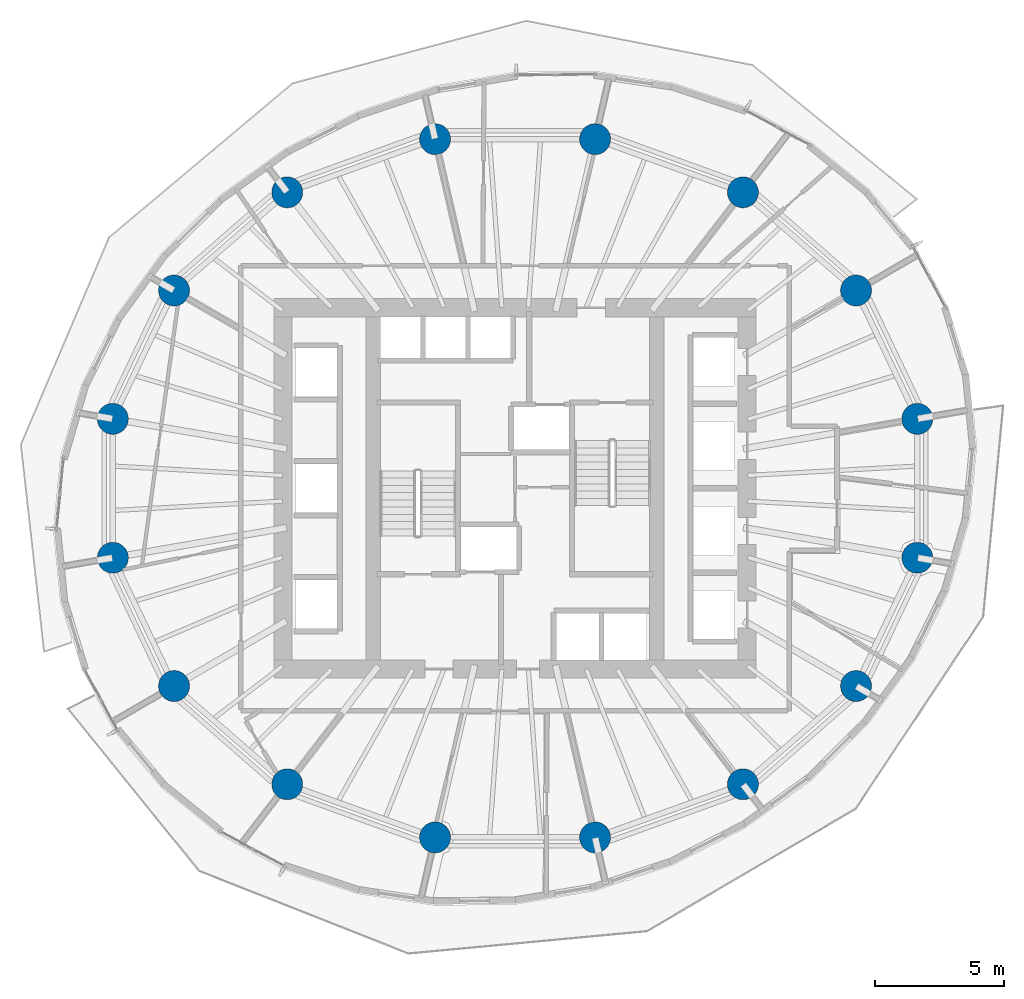
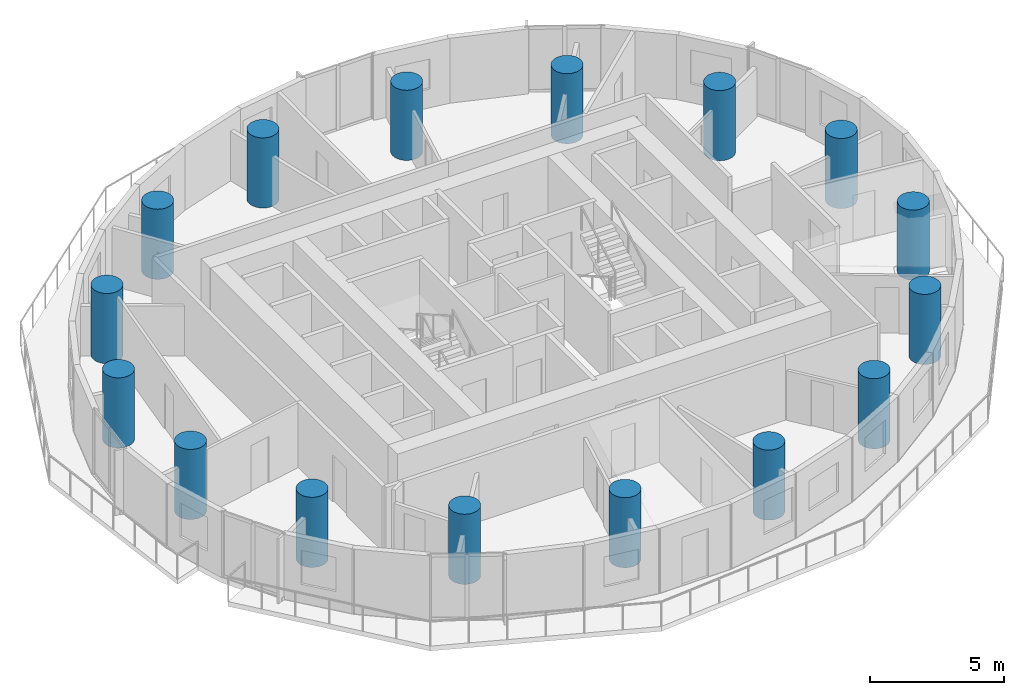
# One storey, part 1 of 14: 16 columns.
"""IFC4 building model written with IfcOpenShell, lengths in metres."""

from ifc_helpers import new_model, si_unit, direction, frame, origin, origin_2d, place, context, subcontext, project, spatial, circle, extrude, material, material_profile, profile_set, type_object, element, save


model = new_model("IFC4")

# Units and contexts
model_context = context("Model", 3, precision=1e-05, world=origin(), true_north=direction((0.0, 1.0)))
body_context = subcontext(model_context, "Body", "Model", "MODEL_VIEW")
ifc_project = project(units=[si_unit("LENGTHUNIT", "METRE"), si_unit("AREAUNIT", "SQUARE_METRE"), si_unit("VOLUMEUNIT", "CUBIC_METRE"), si_unit("PLANEANGLEUNIT", "RADIAN"), si_unit("MASSUNIT", "GRAM", prefix="KILO")], contexts=[model_context])

# Site, building, storey
site_placement = place(None, origin())
site = spatial("IfcSite", under=ifc_project, at=site_placement, CompositionType="ELEMENT")
building_placement = place(site_placement, origin())
building = spatial("IfcBuilding", under=site, at=building_placement, Name="Veldorim Arch Residences", CompositionType="ELEMENT")
storey_placement = place(building_placement, frame((0.0, 0.0, 93.280029296875)))
storey = spatial("IfcBuildingStorey", under=building, at=storey_placement, Name="L27", CompositionType="ELEMENT", Elevation=93.280029296875)

# Columns
ifc_material = material(Name="Concrete C60/75", Category="concrete")
ifc_material_profile = material_profile(ifc_material, circle(Radius=0.60009765625, at=origin_2d()), Name="RC_CIRC_1200")
ifc_profile_set = profile_set([ifc_material_profile], Name="Concrete C60/75")
column_type = type_object("IfcColumnType", Name="Structural Column RC_CIRC_1200", PredefinedType="COLUMN", material=ifc_profile_set)
for number, where, z_axis, x_axis, name in (
    (1, (47.594482421875, 26.692138671875, 0.0), (0.0, 0.0, 1.0), (1.0, 0.0, 0.0), "L27 TC-Z2-01 perimeter column"),
    (2, (45.220458984375, 31.6669921875, 0.0), (0.0, 0.0, 1.0), (1.0, 0.0, 0.0), "L27 TC-Z2-02 perimeter column"),
    (3, (40.83349609375, 35.474365234375, 0.0), (0.0, 0.0, 1.0), (1.0, 0.0, 0.0), "L27 TC-Z2-03 perimeter column"),
    (4, (35.101806640625, 37.534912109375, 0.0), (0.0, 0.0, 1.0), (1.0, 0.0, 0.0), "L27 TC-Z2-04 perimeter column"),
    (5, (28.898193359375, 37.534912109375, 0.0), (0.0, 0.0, 1.0), (1.0, 0.0, 0.0), "L27 TC-Z2-05 perimeter column"),
    (6, (23.16650390625, 35.474365234375, 0.0), (0.0, 0.0, 1.0), (1.0, 0.0, 0.0), "L27 TC-Z2-06 perimeter column"),
    (7, (18.779541015625, 31.6669921875, 0.0), (0.0, 0.0, 1.0), (1.0, 0.0, 0.0), "L27 TC-Z2-07 perimeter column"),
    (8, (16.405517578125, 26.692138671875, 0.0), (0.0, 0.0, 1.0), (1.0, 0.0, 0.0), "L27 TC-Z2-08 perimeter column"),
    (9, (16.405517578125, 21.307861328125, 0.0), (0.0, 0.0, 1.0), (1.0, 0.0, 0.0), "L27 TC-Z2-09 perimeter column"),
    (10, (18.779541015625, 16.3330078125, 0.0), (0.0, 0.0, 1.0), (1.0, 0.0, 0.0), "L27 TC-Z2-10 perimeter column"),
    (11, (23.16650390625, 12.525634765625, 0.0), (0.0, 0.0, 1.0), (1.0, 0.0, 0.0), "L27 TC-Z2-11 perimeter column"),
    (12, (28.898193359375, 10.465087890625, 0.0), (0.0, 0.0, 1.0), (1.0, 0.0, 0.0), "L27 TC-Z2-12 perimeter column"),
    (13, (35.101806640625, 10.465087890625, 0.0), (0.0, 0.0, 1.0), (1.0, 0.0, 0.0), "L27 TC-Z2-13 perimeter column"),
    (14, (40.83349609375, 12.525634765625, 0.0), (0.0, 0.0, 1.0), (1.0, 0.0, 0.0), "L27 TC-Z2-14 perimeter column"),
    (15, (45.220458984375, 16.3330078125, 0.0), (0.0, 0.0, 1.0), (1.0, 0.0, 0.0), "L27 TC-Z2-15 perimeter column"),
    (16, (47.594482421875, 21.307861328125, 0.0), (0.0, 0.0, 1.0), (1.0, 0.0, 0.0), "L27 TC-Z2-16 perimeter column"),
):
    element("IfcColumn", number, at=place(storey_placement, frame(where, z_axis=z_axis, x_axis=x_axis)), inside=storey, type_object=column_type, Name=name, PredefinedType="COLUMN", context=body_context, shape_type="SweptSolid", body=[
        extrude(circle(Radius=0.60009765625, at=origin_2d()), origin(), (0.0, 0.0, 1.0), 3.199951171875),
    ])

save(model, "model.ifc")
